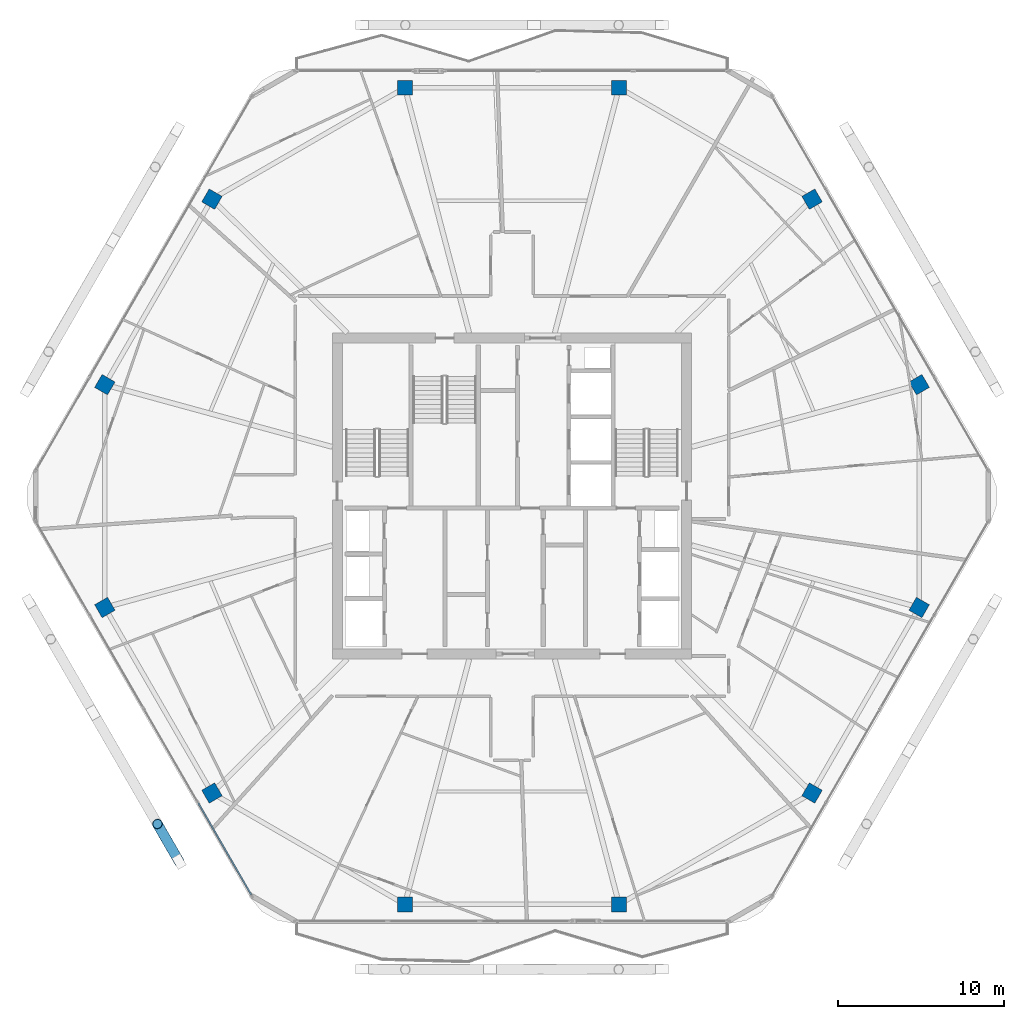
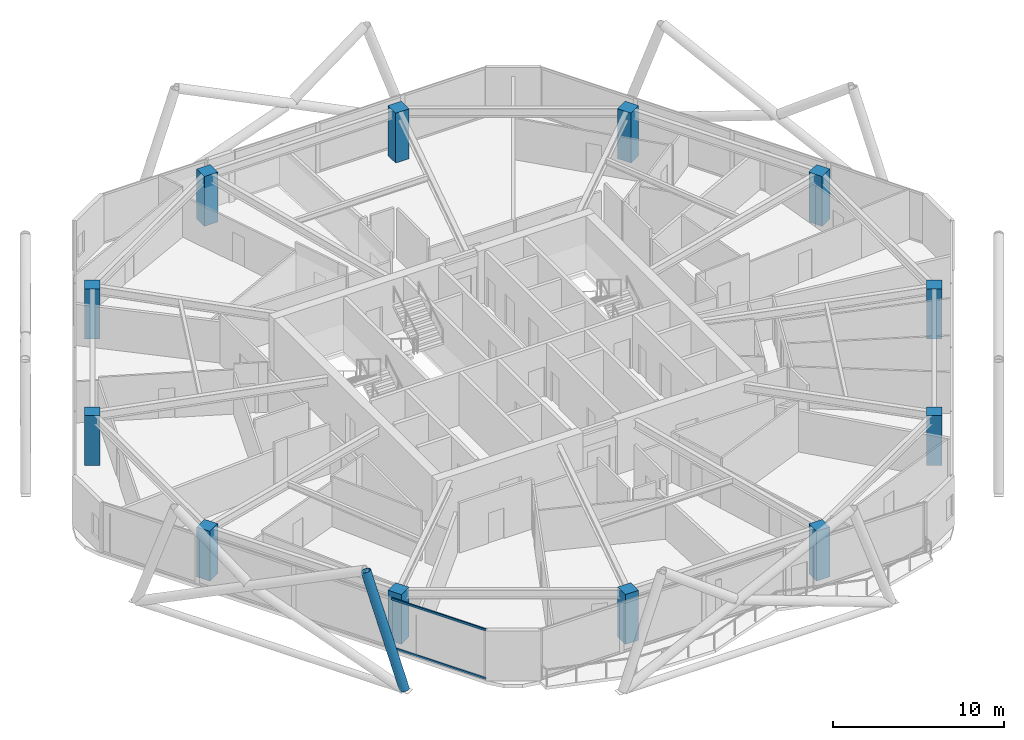
# One storey, part 1 of 26: 12 columns, 3 members, 1 element without a shape of its own.
"""IFC4 building model written with IfcOpenShell, lengths in metres."""

from ifc_helpers import new_model, si_unit, direction, frame, origin, origin_2d, place, context, subcontext, project, spatial, rectangle, hollow_rectangle, hollow_circle, extrude, material, material_profile, profile_set, type_object, element, aggregate, save


model = new_model("IFC4")

# Units and contexts
model_context = context("Model", 3, precision=1e-05, world=origin(), true_north=direction((0.0, 1.0)))
body_context = subcontext(model_context, "Body", "Model", "MODEL_VIEW")
ifc_project = project(units=[si_unit("LENGTHUNIT", "METRE"), si_unit("AREAUNIT", "SQUARE_METRE"), si_unit("VOLUMEUNIT", "CUBIC_METRE"), si_unit("PLANEANGLEUNIT", "RADIAN"), si_unit("MASSUNIT", "GRAM", prefix="KILO")], contexts=[model_context])

# Site, building, storey
site_placement = place(None, origin())
site = spatial("IfcSite", under=ifc_project, at=site_placement, CompositionType="ELEMENT")
building_placement = place(site_placement, origin())
building = spatial("IfcBuilding", under=site, at=building_placement, Name="Zuhravey Tower", CompositionType="ELEMENT")
storey_placement = place(building_placement, frame((0.0, 0.0, 231.199951171875)))
storey = spatial("IfcBuildingStorey", under=building, at=storey_placement, Name="L58", CompositionType="ELEMENT", Elevation=231.199951171875)

# Columns
ifc_material_1 = material(Name="Concrete C50/60", Category="concrete")
ifc_material_profile_1 = material_profile(ifc_material_1, rectangle(XDim=0.89990234375, YDim=0.89990234375, at=origin_2d()), Name="RC-900x900")
ifc_profile_set_1 = profile_set([ifc_material_profile_1], Name="Concrete C50/60")
column_type = type_object("IfcColumnType", Name="Zone 3 Perimeter Column 900x900", PredefinedType="COLUMN", material=ifc_profile_set_1)
for number, where, z_axis, x_axis, name in (
    (1, (60.484619140625, 38.698974609375, 0.0), (0.0, 0.0, 1.0), (-0.5, 0.866025403784, 0.0), "L58 Perimeter Column PC01"),
    (2, (54.043701171875, 49.854736328125, 0.0), (0.0, 0.0, 1.0), (-0.5, 0.866025403784, 0.0), "L58 Perimeter Column PC02"),
    (3, (42.44091796875, 56.5537109375, 0.0), (0.0, 0.0, 1.0), (-1.0, 0.0, 0.0), "L58 Perimeter Column PC03"),
    (4, (29.55908203125, 56.5537109375, 0.0), (0.0, 0.0, 1.0), (-1.0, 0.0, 0.0), "L58 Perimeter Column PC04"),
    (5, (17.956298828125, 49.854736328125, 0.0), (0.0, 0.0, 1.0), (-0.5, -0.866025403784, 0.0), "L58 Perimeter Column PC05"),
    (6, (11.515380859375, 38.698974609375, 0.0), (0.0, 0.0, 1.0), (-0.5, -0.866025403784, 0.0), "L58 Perimeter Column PC06"),
    (7, (11.515380859375, 25.301025390625, 0.0), (0.0, 0.0, 1.0), (0.5, -0.866025403784, 0.0), "L58 Perimeter Column PC07"),
    (8, (17.956298828125, 14.145263671875, 0.0), (0.0, 0.0, 1.0), (0.5, -0.866025403784, 0.0), "L58 Perimeter Column PC08"),
    (9, (29.55908203125, 7.4462890625, 0.0), (0.0, 0.0, 1.0), (1.0, 0.0, 0.0), "L58 Perimeter Column PC09"),
    (10, (42.44091796875, 7.4462890625, 0.0), (0.0, 0.0, 1.0), (1.0, 0.0, 0.0), "L58 Perimeter Column PC10"),
    (11, (54.043701171875, 14.145263671875, 0.0), (0.0, 0.0, 1.0), (0.5, 0.866025403784, 0.0), "L58 Perimeter Column PC11"),
    (12, (60.484619140625, 25.301025390625, 0.0), (0.0, 0.0, 1.0), (0.5, 0.866025403784, 0.0), "L58 Perimeter Column PC12"),
):
    element("IfcColumn", number, at=place(storey_placement, frame(where, z_axis=z_axis, x_axis=x_axis)), inside=storey, type_object=column_type, Name=name, PredefinedType="COLUMN", context=body_context, shape_type="SweptSolid", body=[
        extrude(rectangle(XDim=0.89990234375, YDim=0.89990234375, at=origin_2d()), origin(), (0.0, 0.0, 1.0), 3.550048828125),
    ])

# Curtain wall, members
ifc_material_2 = material(Name="Thermally broken anodised aluminium", Category="aluminium")
curtain_wall_type = type_object("IfcCurtainWallType", Name="Zone 3-4 High-Rise Curtain Wall CW4", PredefinedType="NOTDEFINED", material=ifc_material_2)
curtain_wall_placement = place(storey_placement, origin())
curtain_wall = element("IfcCurtainWall", 13, at=curtain_wall_placement, inside=storey, type_object=curtain_wall_type, Name="L58 CW4 CW-L58-F4-1", PredefinedType="NOTDEFINED")
ifc_material_3 = material(Name="Anodised aluminium", Category="aluminium")
ifc_material_profile_2 = material_profile(ifc_material_3, hollow_rectangle(XDim=0.090087890625, YDim=0.14990234375, WallThickness=0.0048828125, at=origin_2d()), Name="ALU-RHS-90x150x5")
ifc_profile_set_2 = profile_set([ifc_material_profile_2], Name="Anodised aluminium")
member_type_1 = type_object("IfcMemberType", Name="Curtain-Wall Transom 90x150", PredefinedType="USERDEFINED", material=ifc_profile_set_2)
member_1_placement = place(storey_placement, frame((20.322509765625, 8.02685546875, 0.045166015625), z_axis=(-0.499980071345, 0.866036909293, 0.0), x_axis=(-0.866036909293, -0.499980071345, 0.0)))
member_1 = element("IfcMember", 14, at=member_1_placement, type_object=member_type_1, Name="CW4 transom 1.1", ObjectType="TRANSOM", PredefinedType="USERDEFINED", context=body_context, shape_type="SweptSolid", body=[
    extrude(hollow_rectangle(XDim=0.090087890625, YDim=0.14990234375, WallThickness=0.0048828125, at=origin_2d()), origin(), (0.0, 0.0, 1.0), 6.371337890625),
])
member_2_placement = place(storey_placement, frame((20.322509765625, 8.02685546875, 3.505126953125), z_axis=(-0.499980071345, 0.866036909293, 0.0), x_axis=(-0.866036909293, -0.499980071345, 0.0)))
member_2 = element("IfcMember", 15, at=member_2_placement, type_object=member_type_1, Name="CW4 transom 1.2", ObjectType="TRANSOM", PredefinedType="USERDEFINED", context=body_context, shape_type="SweptSolid", body=[
    extrude(hollow_rectangle(XDim=0.090087890625, YDim=0.14990234375, WallThickness=0.0048828125, at=origin_2d()), origin(), (0.0, 0.0, 1.0), 6.371337890625),
])
aggregate(curtain_wall, [member_1, member_2])

# Member
ifc_material_4 = material(Name="Steel SM355", Category="steel")
ifc_material_profile_3 = material_profile(ifc_material_4, hollow_circle(Radius=0.3046875, WallThickness=0.028076171875, at=origin_2d()), Name="CHS-609.6x28")
ifc_profile_set_3 = profile_set([ifc_material_profile_3], Name="Steel SM355")
member_type_2 = type_object("IfcMemberType", Name="Exoskeleton Zone 3 Diagrid CHS610x28", PredefinedType="BRACE", material=ifc_profile_set_3)
member_3_placement = place(storey_placement, frame((15.982421875, 10.024169921875, -0.446044921875), z_axis=(-0.163024515217, 0.282386653254, 0.94534691278), x_axis=(-0.866040668696, -0.499973559465, 0.0)))
element("IfcMember", 16, at=member_3_placement, inside=storey, type_object=member_type_2, Name="L58 Face 4 Diagrid Brace 4", PredefinedType="BRACE", context=body_context, shape_type="SweptSolid", body=[
    extrude(hollow_circle(Radius=0.3046875, WallThickness=0.028076171875, at=origin_2d()), origin(), (0.0, 0.0, 1.0), 8.00146484375),
])

save(model, "model.ifc")
